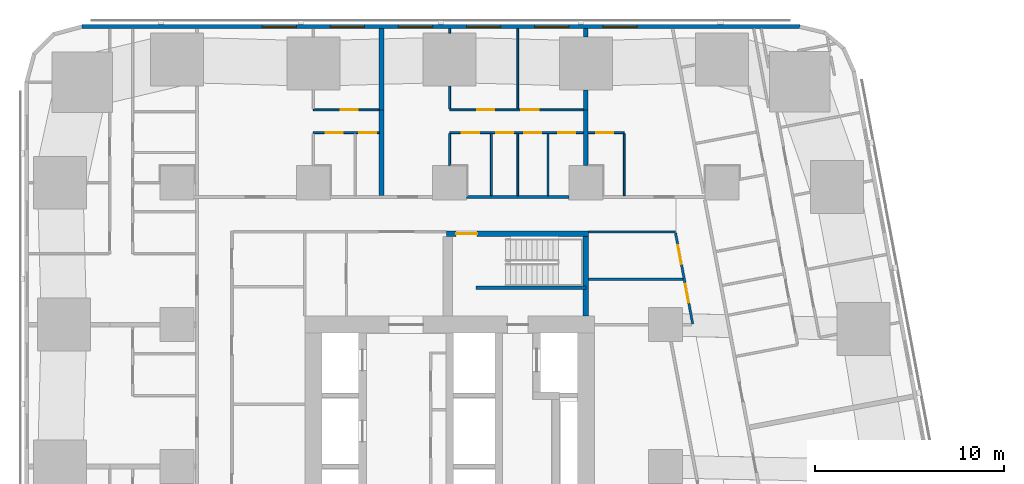
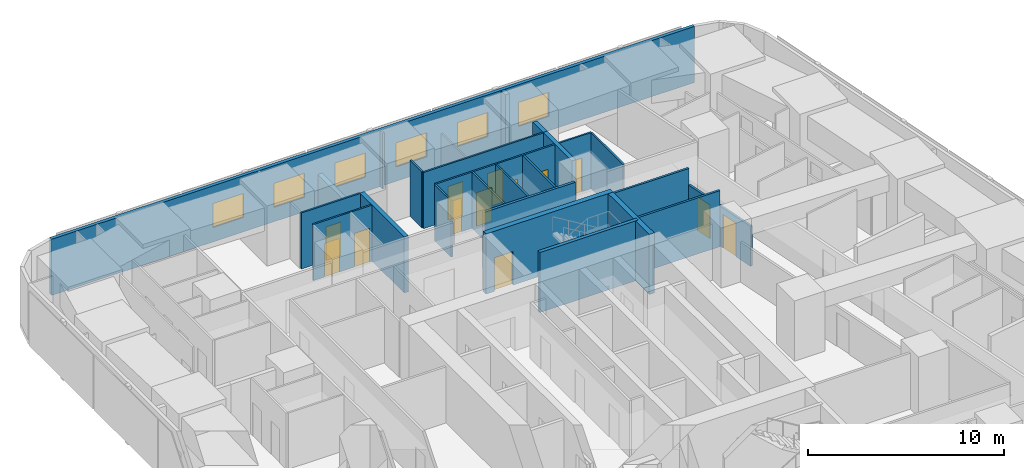
# One storey, part 10 of 16: 26 walls, 13 doors, 6 windows, 19 openings.
"""IFC4 building model written with IfcOpenShell, lengths in metres."""

from ifc_helpers import new_model, si_unit, direction, frame, frame_2d, origin, place, context, subcontext, project, spatial, rectangle, extrude, material, layer, layer_set, type_object, element, fill, save


model = new_model("IFC4")

# Units and contexts
model_context = context("Model", 3, precision=1e-05, world=origin(), true_north=direction((0.0, 1.0)))
body_context = subcontext(model_context, "Body", "Model", "MODEL_VIEW")
ifc_project = project(units=[si_unit("LENGTHUNIT", "METRE"), si_unit("AREAUNIT", "SQUARE_METRE"), si_unit("VOLUMEUNIT", "CUBIC_METRE"), si_unit("PLANEANGLEUNIT", "RADIAN"), si_unit("MASSUNIT", "GRAM", prefix="KILO")], contexts=[model_context])

# Site, building, storey
site_placement = place(None, origin())
site = spatial("IfcSite", under=ifc_project, at=site_placement, CompositionType="ELEMENT")
building_placement = place(site_placement, origin())
building = spatial("IfcBuilding", under=site, at=building_placement, Name="Sheger Commons Tower", CompositionType="ELEMENT")
storey_placement = place(building_placement, frame((0.0, 0.0, 53.75)))
storey = spatial("IfcBuildingStorey", under=building, at=storey_placement, Name="L13", CompositionType="ELEMENT", Elevation=53.75)

# Walls
ifc_material_1 = material(Name="Hollow concrete block masonry, skimmed both sides", Category="masonry")
ifc_layer_1 = layer(ifc_material_1, 0.14990234375)
ifc_layer_set_1 = layer_set([ifc_layer_1], Name="CORRIDOR WALL 150")
wall_type_1 = type_object("IfcWallType", Name="CORRIDOR WALL 150", PredefinedType="SOLIDWALL", material=ifc_layer_set_1)
wall_1_placement = place(storey_placement, frame((22.5009765625, 36.75, 0.0), z_axis=(0.0, 0.0, 1.0), x_axis=(1.0, 0.0, 0.0)))
element("IfcWall", 1, at=wall_1_placement, inside=storey, type_object=wall_type_1, Name="Corridor wall L13", PredefinedType="SOLIDWALL", context=body_context, shape_type="SweptSolid", body=[
    extrude(rectangle(XDim=5.39794921875, YDim=0.14990234375, at=frame_2d((2.698974609375, 0.0))), origin(), (0.0, 0.0, 1.0), 3.5),
])
ifc_material_2 = material(Name="Dense concrete block masonry, plastered both sides (separating wall between flats)", Category="masonry")
ifc_layer_2 = layer(ifc_material_2, 0.25)
ifc_layer_set_2 = layer_set([ifc_layer_2], Name="DEMISING WALL 250")
wall_type_2 = type_object("IfcWallType", Name="DEMISING WALL 250", PredefinedType="SOLIDWALL", material=ifc_layer_set_2)
wall_2_placement = place(storey_placement, frame((18.0, 41.35009765625, 0.0), z_axis=(0.0, 0.0, 1.0), x_axis=(0.0, 1.0, 0.0)))
element("IfcWall", 2, at=wall_2_placement, inside=storey, type_object=wall_type_2, Name="Demising wall L13", PredefinedType="SOLIDWALL", context=body_context, shape_type="SweptSolid", body=[
    extrude(rectangle(XDim=4.2998046875, YDim=0.25, at=frame_2d((2.14990234375, 0.0))), origin(), (0.0, 0.0, 1.0), 2.050048828125),
])
wall_3_placement = place(storey_placement, frame((18.0, 36.824951171875, 0.0), z_axis=(0.0, 0.0, 1.0), x_axis=(0.0, 1.0, 0.0)))
element("IfcWall", 3, at=wall_3_placement, inside=storey, type_object=wall_type_2, Name="Demising wall L13", PredefinedType="SOLIDWALL", context=body_context, shape_type="SweptSolid", body=[
    extrude(rectangle(XDim=4.525146484375, YDim=0.25, at=frame_2d((2.2626953125, 0.0))), origin(), (0.0, 0.0, 1.0), 3.5),
])
wall_4_placement = place(storey_placement, frame((28.800048828125, 41.35009765625, 0.0), z_axis=(0.0, 0.0, 1.0), x_axis=(0.0, 1.0, 0.0)))
element("IfcWall", 4, at=wall_4_placement, inside=storey, type_object=wall_type_2, Name="Demising wall L13", PredefinedType="SOLIDWALL", context=body_context, shape_type="SweptSolid", body=[
    extrude(rectangle(XDim=1.048828125, YDim=0.25, at=frame_2d((0.5244140625, 0.0))), origin(), (0.0, 0.0, 1.0), 3.5),
])
wall_5_placement = place(storey_placement, frame((28.800048828125, 45.200927734375, 0.0), z_axis=(0.0, 0.0, 1.0), x_axis=(0.0, 1.0, 0.0)))
element("IfcWall", 5, at=wall_5_placement, inside=storey, type_object=wall_type_2, Name="Demising wall L13", PredefinedType="SOLIDWALL", context=body_context, shape_type="SweptSolid", body=[
    extrude(rectangle(XDim=0.448974609375, YDim=0.25, at=frame_2d((0.224609375, 0.0))), origin(), (0.0, 0.0, 1.0), 3.5),
])
wall_6_placement = place(storey_placement, frame((28.800048828125, 38.40087890625, 0.0), z_axis=(0.0, 0.0, 1.0), x_axis=(0.0, 1.0, 0.0)))
element("IfcWall", 6, at=wall_6_placement, inside=storey, type_object=wall_type_2, Name="Demising wall L13", PredefinedType="SOLIDWALL", context=body_context, shape_type="SweptSolid", body=[
    extrude(rectangle(XDim=2.94921875, YDim=0.25, at=frame_2d((1.474609375, 0.0))), origin(), (0.0, 0.0, 1.0), 3.5),
])

# Wall, openings, windows
ifc_material_3 = material(Name="Rendered concrete block masonry, dark grey", Category="masonry")
ifc_layer_3 = layer(ifc_material_3, 0.199951171875)
ifc_layer_set_3 = layer_set([ifc_layer_3], Name="FACADE WALL 200")
wall_type_3 = type_object("IfcWallType", Name="FACADE WALL 200", PredefinedType="SOLIDWALL", material=ifc_layer_set_3)
wall_7_placement = place(storey_placement, frame((40.10595703125, 45.75, 0.0), z_axis=(0.0, 0.0, 1.0), x_axis=(-1.0, 0.0, 0.0)))
wall_7 = element("IfcWall", 7, at=wall_7_placement, inside=storey, type_object=wall_type_3, Name="Facade wall L13", PredefinedType="SOLIDWALL", context=body_context, shape_type="SweptSolid", body=[
    extrude(rectangle(XDim=37.94287109375, YDim=0.199951171875, at=frame_2d((18.971435546875, 0.0))), origin(), (0.0, 0.0, 1.0), 3.5),
])
opening_1_placement = place(wall_7_placement, frame((8.60595703125, 0.0, 0.89990234375)))
opening_1 = element("IfcOpeningElement", 8, at=opening_1_placement, cuts=wall_7, Name="Opening W2", PredefinedType="OPENING", context=body_context, shape_type="SweptSolid", body=[
    extrude(rectangle(XDim=1.800048828125, YDim=1.5, at=frame_2d((0.89990234375, 0.75))), frame((0.0, 0.10986328125, 0.0), z_axis=(0.0, -1.0, 0.0), x_axis=(1.0, 0.0, 0.0)), (0.0, 0.0, 1.0), 0.219970703125),
])
opening_2_placement = place(wall_7_placement, frame((12.2060546875, 0.0, 0.89990234375)))
opening_2 = element("IfcOpeningElement", 9, at=opening_2_placement, cuts=wall_7, Name="Opening W2", PredefinedType="OPENING", context=body_context, shape_type="SweptSolid", body=[
    extrude(rectangle(XDim=1.800048828125, YDim=1.5, at=frame_2d((0.89990234375, 0.75))), frame((0.0, 0.10986328125, 0.0), z_axis=(0.0, -1.0, 0.0), x_axis=(1.0, 0.0, 0.0)), (0.0, 0.0, 1.0), 0.219970703125),
])
opening_3_placement = place(wall_7_placement, frame((15.805908203125, 0.0, 0.89990234375)))
opening_3 = element("IfcOpeningElement", 10, at=opening_3_placement, cuts=wall_7, Name="Opening W2", PredefinedType="OPENING", context=body_context, shape_type="SweptSolid", body=[
    extrude(rectangle(XDim=1.800048828125, YDim=1.5, at=frame_2d((0.89990234375, 0.75))), frame((0.0, 0.10986328125, 0.0), z_axis=(0.0, -1.0, 0.0), x_axis=(1.0, 0.0, 0.0)), (0.0, 0.0, 1.0), 0.219970703125),
])
opening_4_placement = place(wall_7_placement, frame((19.406005859375, 0.0, 0.89990234375)))
opening_4 = element("IfcOpeningElement", 11, at=opening_4_placement, cuts=wall_7, Name="Opening W2", PredefinedType="OPENING", context=body_context, shape_type="SweptSolid", body=[
    extrude(rectangle(XDim=1.800048828125, YDim=1.5, at=frame_2d((0.89990234375, 0.75))), frame((0.0, 0.10986328125, 0.0), z_axis=(0.0, -1.0, 0.0), x_axis=(1.0, 0.0, 0.0)), (0.0, 0.0, 1.0), 0.219970703125),
])
opening_5_placement = place(wall_7_placement, frame((23.006103515625, 0.0, 0.89990234375)))
opening_5 = element("IfcOpeningElement", 12, at=opening_5_placement, cuts=wall_7, Name="Opening W2", PredefinedType="OPENING", context=body_context, shape_type="SweptSolid", body=[
    extrude(rectangle(XDim=1.800048828125, YDim=1.5, at=frame_2d((0.89990234375, 0.75))), frame((0.0, 0.10986328125, 0.0), z_axis=(0.0, -1.0, 0.0), x_axis=(1.0, 0.0, 0.0)), (0.0, 0.0, 1.0), 0.219970703125),
])
opening_6_placement = place(wall_7_placement, frame((26.60595703125, 0.0, 0.89990234375)))
opening_6 = element("IfcOpeningElement", 13, at=opening_6_placement, cuts=wall_7, Name="Opening W2", PredefinedType="OPENING", context=body_context, shape_type="SweptSolid", body=[
    extrude(rectangle(XDim=1.800048828125, YDim=1.5, at=frame_2d((0.89990234375, 0.75))), frame((0.0, 0.10986328125, 0.0), z_axis=(0.0, -1.0, 0.0), x_axis=(1.0, 0.0, 0.0)), (0.0, 0.0, 1.0), 0.219970703125),
])
ifc_material_4 = material(Name="Black aluminium frame, dark tinted double glazing", Category="aluminium")
window_type = type_object("IfcWindowType", Name="WINDOW W2 1800x1500", PartitioningType="SINGLE_PANEL", PredefinedType="WINDOW", material=ifc_material_4)
window_1_placement = place(opening_1_placement, origin())
window_1 = element("IfcWindow", 14, at=window_1_placement, inside=storey, type_object=window_type, Name="Window W2 1800X1500", OverallHeight=1.5, OverallWidth=1.800048828125, PartitioningType="SINGLE_PANEL", PredefinedType="WINDOW", context=body_context, shape_type="SweptSolid", body=[
    extrude(rectangle(XDim=1.800048828125, YDim=1.5, at=frame_2d((0.89990234375, 0.75))), frame((0.0, 0.030029296875, 0.0), z_axis=(0.0, -1.0, 0.0), x_axis=(1.0, 0.0, 0.0)), (0.0, 0.0, 1.0), 0.06005859375),
])
fill(opening_1, window_1)
window_2_placement = place(opening_2_placement, origin())
window_2 = element("IfcWindow", 15, at=window_2_placement, inside=storey, type_object=window_type, Name="Window W2 1800X1500", OverallHeight=1.5, OverallWidth=1.800048828125, PartitioningType="SINGLE_PANEL", PredefinedType="WINDOW", context=body_context, shape_type="SweptSolid", body=[
    extrude(rectangle(XDim=1.800048828125, YDim=1.5, at=frame_2d((0.89990234375, 0.75))), frame((0.0, 0.030029296875, 0.0), z_axis=(0.0, -1.0, 0.0), x_axis=(1.0, 0.0, 0.0)), (0.0, 0.0, 1.0), 0.06005859375),
])
fill(opening_2, window_2)
window_3_placement = place(opening_3_placement, origin())
window_3 = element("IfcWindow", 16, at=window_3_placement, inside=storey, type_object=window_type, Name="Window W2 1800X1500", OverallHeight=1.5, OverallWidth=1.800048828125, PartitioningType="SINGLE_PANEL", PredefinedType="WINDOW", context=body_context, shape_type="SweptSolid", body=[
    extrude(rectangle(XDim=1.800048828125, YDim=1.5, at=frame_2d((0.89990234375, 0.75))), frame((0.0, 0.030029296875, 0.0), z_axis=(0.0, -1.0, 0.0), x_axis=(1.0, 0.0, 0.0)), (0.0, 0.0, 1.0), 0.06005859375),
])
fill(opening_3, window_3)
window_4_placement = place(opening_4_placement, origin())
window_4 = element("IfcWindow", 17, at=window_4_placement, inside=storey, type_object=window_type, Name="Window W2 1800X1500", OverallHeight=1.5, OverallWidth=1.800048828125, PartitioningType="SINGLE_PANEL", PredefinedType="WINDOW", context=body_context, shape_type="SweptSolid", body=[
    extrude(rectangle(XDim=1.800048828125, YDim=1.5, at=frame_2d((0.89990234375, 0.75))), frame((0.0, 0.030029296875, 0.0), z_axis=(0.0, -1.0, 0.0), x_axis=(1.0, 0.0, 0.0)), (0.0, 0.0, 1.0), 0.06005859375),
])
fill(opening_4, window_4)
window_5_placement = place(opening_5_placement, origin())
window_5 = element("IfcWindow", 18, at=window_5_placement, inside=storey, type_object=window_type, Name="Window W2 1800X1500", OverallHeight=1.5, OverallWidth=1.800048828125, PartitioningType="SINGLE_PANEL", PredefinedType="WINDOW", context=body_context, shape_type="SweptSolid", body=[
    extrude(rectangle(XDim=1.800048828125, YDim=1.5, at=frame_2d((0.89990234375, 0.75))), frame((0.0, 0.030029296875, 0.0), z_axis=(0.0, -1.0, 0.0), x_axis=(1.0, 0.0, 0.0)), (0.0, 0.0, 1.0), 0.06005859375),
])
fill(opening_5, window_5)
window_6_placement = place(opening_6_placement, origin())
window_6 = element("IfcWindow", 19, at=window_6_placement, inside=storey, type_object=window_type, Name="Window W2 1800X1500", OverallHeight=1.5, OverallWidth=1.800048828125, PartitioningType="SINGLE_PANEL", PredefinedType="WINDOW", context=body_context, shape_type="SweptSolid", body=[
    extrude(rectangle(XDim=1.800048828125, YDim=1.5, at=frame_2d((0.89990234375, 0.75))), frame((0.0, 0.030029296875, 0.0), z_axis=(0.0, -1.0, 0.0), x_axis=(1.0, 0.0, 0.0)), (0.0, 0.0, 1.0), 0.06005859375),
])
fill(opening_6, window_6)

# Wall, opening, door
ifc_material_5 = material(Name="Gypsum board on steel studs", Category="steel")
ifc_layer_4 = layer(ifc_material_5, 0.10009765625)
ifc_layer_set_4 = layer_set([ifc_layer_4], Name="PARTITION 100")
wall_type_4 = type_object("IfcWallType", Name="PARTITION 100", PredefinedType="PARTITIONING", material=ifc_layer_set_4)
wall_8_placement = place(storey_placement, frame((14.39990234375, 41.35009765625, 0.0), z_axis=(0.0, 0.0, 1.0), x_axis=(1.0, 0.0, 0.0)))
wall_8 = element("IfcWall", 20, at=wall_8_placement, inside=storey, type_object=wall_type_4, Name="Partition L13", PredefinedType="PARTITIONING", context=body_context, shape_type="SweptSolid", body=[
    extrude(rectangle(XDim=3.47509765625, YDim=0.10009765625, at=frame_2d((1.737548828125, 0.0))), origin(), (0.0, 0.0, 1.0), 3.5),
])
opening_7_placement = place(wall_8_placement, frame((1.449951171875, 0.0, 0.0)))
opening_7 = element("IfcOpeningElement", 21, at=opening_7_placement, cuts=wall_8, Name="Opening D2", PredefinedType="OPENING", context=body_context, shape_type="SweptSolid", body=[
    extrude(rectangle(XDim=0.89990234375, YDim=2.10009765625, at=frame_2d((0.449951171875, 1.050048828125))), frame((0.0, 0.06005859375, 0.0), z_axis=(0.0, -1.0, 0.0), x_axis=(1.0, 0.0, 0.0)), (0.0, 0.0, 1.0), 0.1201171875),
])
ifc_material_6 = material(Name="Timber door set", Category="wood")
door_type_1 = type_object("IfcDoorType", Name="INTERNAL DOOR 900x2100", OperationType="NOTDEFINED", PredefinedType="DOOR", material=ifc_material_6)
door_1_placement = place(opening_7_placement, origin())
door_1 = element("IfcDoor", 22, at=door_1_placement, inside=storey, type_object=door_type_1, Name="Main bedroom door", OperationType="SINGLE_SWING_RIGHT", OverallHeight=2.10009765625, OverallWidth=0.89990234375, PredefinedType="DOOR", context=body_context, shape_type="SweptSolid", body=[
    extrude(rectangle(XDim=0.89990234375, YDim=2.10009765625, at=frame_2d((0.449951171875, 1.050048828125))), frame((0.0, 0.02490234375, 0.0), z_axis=(0.0, -1.0, 0.0), x_axis=(1.0, 0.0, 0.0)), (0.0, 0.0, 1.0), 0.050048828125),
])
fill(opening_7, door_1)

# Wall, openings, doors
wall_9_placement = place(storey_placement, frame((14.39990234375, 40.14990234375, 0.0), z_axis=(0.0, 0.0, 1.0), x_axis=(1.0, 0.0, 0.0)))
wall_9 = element("IfcWall", 23, at=wall_9_placement, inside=storey, type_object=wall_type_4, Name="Partition L13", PredefinedType="PARTITIONING", context=body_context, shape_type="SweptSolid", body=[
    extrude(rectangle(XDim=3.47509765625, YDim=0.10009765625, at=frame_2d((1.737548828125, 0.0))), origin(), (0.0, 0.0, 1.0), 3.5),
])
opening_8_placement = place(wall_9_placement, frame((0.655029296875, 0.0, 0.0)))
opening_8 = element("IfcOpeningElement", 24, at=opening_8_placement, cuts=wall_9, Name="Opening D2", PredefinedType="OPENING", context=body_context, shape_type="SweptSolid", body=[
    extrude(rectangle(XDim=0.89990234375, YDim=2.10009765625, at=frame_2d((0.449951171875, 1.050048828125))), frame((0.0, 0.06005859375, 0.0), z_axis=(0.0, -1.0, 0.0), x_axis=(1.0, 0.0, 0.0)), (0.0, 0.0, 1.0), 0.1201171875),
])
opening_9_placement = place(wall_9_placement, frame((2.425048828125, 0.0, 0.0)))
opening_9 = element("IfcOpeningElement", 25, at=opening_9_placement, cuts=wall_9, Name="Opening D2", PredefinedType="OPENING", context=body_context, shape_type="SweptSolid", body=[
    extrude(rectangle(XDim=0.89990234375, YDim=2.10009765625, at=frame_2d((0.449951171875, 1.050048828125))), frame((0.0, 0.06005859375, 0.0), z_axis=(0.0, -1.0, 0.0), x_axis=(1.0, 0.0, 0.0)), (0.0, 0.0, 1.0), 0.1201171875),
])
door_2_placement = place(opening_8_placement, origin())
door_2 = element("IfcDoor", 26, at=door_2_placement, inside=storey, type_object=door_type_1, Name="Bathroom door", OperationType="SINGLE_SWING_RIGHT", OverallHeight=2.10009765625, OverallWidth=0.89990234375, PredefinedType="DOOR", context=body_context, shape_type="SweptSolid", body=[
    extrude(rectangle(XDim=0.89990234375, YDim=2.10009765625, at=frame_2d((0.449951171875, 1.050048828125))), frame((0.0, 0.02490234375, 0.0), z_axis=(0.0, -1.0, 0.0), x_axis=(1.0, 0.0, 0.0)), (0.0, 0.0, 1.0), 0.050048828125),
])
fill(opening_8, door_2)
door_3_placement = place(opening_9_placement, origin())
door_3 = element("IfcDoor", 27, at=door_3_placement, inside=storey, type_object=door_type_1, Name="Store door", OperationType="SINGLE_SWING_LEFT", OverallHeight=2.10009765625, OverallWidth=0.89990234375, PredefinedType="DOOR", context=body_context, shape_type="SweptSolid", body=[
    extrude(rectangle(XDim=0.89990234375, YDim=2.10009765625, at=frame_2d((0.449951171875, 1.050048828125))), frame((0.0, 0.02490234375, 0.0), z_axis=(0.0, -1.0, 0.0), x_axis=(1.0, 0.0, 0.0)), (0.0, 0.0, 1.0), 0.050048828125),
])
fill(opening_9, door_3)

wall_10_placement = place(storey_placement, frame((21.60009765625, 41.35009765625, 0.0), z_axis=(0.0, 0.0, 1.0), x_axis=(1.0, 0.0, 0.0)))
wall_10 = element("IfcWall", 28, at=wall_10_placement, inside=storey, type_object=wall_type_4, Name="Partition L13", PredefinedType="PARTITIONING", context=body_context, shape_type="SweptSolid", body=[
    extrude(rectangle(XDim=7.074951171875, YDim=0.10009765625, at=frame_2d((3.53759765625, 0.0))), origin(), (0.0, 0.0, 1.0), 3.5),
])
opening_10_placement = place(wall_10_placement, frame((1.449951171875, 0.0, 0.0)))
opening_10 = element("IfcOpeningElement", 29, at=opening_10_placement, cuts=wall_10, Name="Opening D2", PredefinedType="OPENING", context=body_context, shape_type="SweptSolid", body=[
    extrude(rectangle(XDim=0.89990234375, YDim=2.10009765625, at=frame_2d((0.449951171875, 1.050048828125))), frame((0.0, 0.06005859375, 0.0), z_axis=(0.0, -1.0, 0.0), x_axis=(1.0, 0.0, 0.0)), (0.0, 0.0, 1.0), 0.1201171875),
])
opening_11_placement = place(wall_10_placement, frame((3.800048828125, 0.0, 0.0)))
opening_11 = element("IfcOpeningElement", 30, at=opening_11_placement, cuts=wall_10, Name="Opening D2", PredefinedType="OPENING", context=body_context, shape_type="SweptSolid", body=[
    extrude(rectangle(XDim=0.89990234375, YDim=2.10009765625, at=frame_2d((0.449951171875, 1.050048828125))), frame((0.0, 0.06005859375, 0.0), z_axis=(0.0, -1.0, 0.0), x_axis=(1.0, 0.0, 0.0)), (0.0, 0.0, 1.0), 0.1201171875),
])
door_4_placement = place(opening_10_placement, origin())
door_4 = element("IfcDoor", 31, at=door_4_placement, inside=storey, type_object=door_type_1, Name="Main bedroom door", OperationType="SINGLE_SWING_LEFT", OverallHeight=2.10009765625, OverallWidth=0.89990234375, PredefinedType="DOOR", context=body_context, shape_type="SweptSolid", body=[
    extrude(rectangle(XDim=0.89990234375, YDim=2.10009765625, at=frame_2d((0.449951171875, 1.050048828125))), frame((0.0, 0.02490234375, 0.0), z_axis=(0.0, -1.0, 0.0), x_axis=(1.0, 0.0, 0.0)), (0.0, 0.0, 1.0), 0.050048828125),
])
fill(opening_10, door_4)
door_5_placement = place(opening_11_placement, origin())
door_5 = element("IfcDoor", 32, at=door_5_placement, inside=storey, type_object=door_type_1, Name="Bedroom 2 door", OperationType="SINGLE_SWING_LEFT", OverallHeight=2.10009765625, OverallWidth=0.89990234375, PredefinedType="DOOR", context=body_context, shape_type="SweptSolid", body=[
    extrude(rectangle(XDim=0.89990234375, YDim=2.10009765625, at=frame_2d((0.449951171875, 1.050048828125))), frame((0.0, 0.02490234375, 0.0), z_axis=(0.0, -1.0, 0.0), x_axis=(1.0, 0.0, 0.0)), (0.0, 0.0, 1.0), 0.050048828125),
])
fill(opening_11, door_5)

wall_11_placement = place(storey_placement, frame((21.60009765625, 40.14990234375, 0.0), z_axis=(0.0, 0.0, 1.0), x_axis=(1.0, 0.0, 0.0)))
wall_11 = element("IfcWall", 33, at=wall_11_placement, inside=storey, type_object=wall_type_4, Name="Partition L13", PredefinedType="PARTITIONING", context=body_context, shape_type="SweptSolid", body=[
    extrude(rectangle(XDim=7.074951171875, YDim=0.10009765625, at=frame_2d((3.53759765625, 0.0))), origin(), (0.0, 0.0, 1.0), 3.5),
])
opening_12_placement = place(wall_11_placement, frame((0.655029296875, 0.0, 0.0)))
opening_12 = element("IfcOpeningElement", 34, at=opening_12_placement, cuts=wall_11, Name="Opening D2", PredefinedType="OPENING", context=body_context, shape_type="SweptSolid", body=[
    extrude(rectangle(XDim=0.89990234375, YDim=2.10009765625, at=frame_2d((0.449951171875, 1.050048828125))), frame((0.0, 0.06005859375, 0.0), z_axis=(0.0, -1.0, 0.0), x_axis=(1.0, 0.0, 0.0)), (0.0, 0.0, 1.0), 0.1201171875),
])
opening_13_placement = place(wall_11_placement, frame((3.949951171875, 0.0, 0.0)))
opening_13 = element("IfcOpeningElement", 35, at=opening_13_placement, cuts=wall_11, Name="Opening D2", PredefinedType="OPENING", context=body_context, shape_type="SweptSolid", body=[
    extrude(rectangle(XDim=0.89990234375, YDim=2.10009765625, at=frame_2d((0.449951171875, 1.050048828125))), frame((0.0, 0.06005859375, 0.0), z_axis=(0.0, -1.0, 0.0), x_axis=(1.0, 0.0, 0.0)), (0.0, 0.0, 1.0), 0.1201171875),
])
opening_14_placement = place(wall_11_placement, frame((2.455078125, 0.0, 0.0)))
opening_14 = element("IfcOpeningElement", 36, at=opening_14_placement, cuts=wall_11, Name="Opening D2", PredefinedType="OPENING", context=body_context, shape_type="SweptSolid", body=[
    extrude(rectangle(XDim=0.89990234375, YDim=2.10009765625, at=frame_2d((0.449951171875, 1.050048828125))), frame((0.0, 0.06005859375, 0.0), z_axis=(0.0, -1.0, 0.0), x_axis=(1.0, 0.0, 0.0)), (0.0, 0.0, 1.0), 0.1201171875),
])
opening_15_placement = place(wall_11_placement, frame((5.75, 0.0, 0.0)))
opening_15 = element("IfcOpeningElement", 37, at=opening_15_placement, cuts=wall_11, Name="Opening D2", PredefinedType="OPENING", context=body_context, shape_type="SweptSolid", body=[
    extrude(rectangle(XDim=0.89990234375, YDim=2.10009765625, at=frame_2d((0.449951171875, 1.050048828125))), frame((0.0, 0.06005859375, 0.0), z_axis=(0.0, -1.0, 0.0), x_axis=(1.0, 0.0, 0.0)), (0.0, 0.0, 1.0), 0.1201171875),
])
door_6_placement = place(opening_12_placement, origin())
door_6 = element("IfcDoor", 38, at=door_6_placement, inside=storey, type_object=door_type_1, Name="Bathroom door", OperationType="SINGLE_SWING_RIGHT", OverallHeight=2.10009765625, OverallWidth=0.89990234375, PredefinedType="DOOR", context=body_context, shape_type="SweptSolid", body=[
    extrude(rectangle(XDim=0.89990234375, YDim=2.10009765625, at=frame_2d((0.449951171875, 1.050048828125))), frame((0.0, 0.02490234375, 0.0), z_axis=(0.0, -1.0, 0.0), x_axis=(1.0, 0.0, 0.0)), (0.0, 0.0, 1.0), 0.050048828125),
])
fill(opening_12, door_6)
door_7_placement = place(opening_13_placement, origin())
door_7 = element("IfcDoor", 39, at=door_7_placement, inside=storey, type_object=door_type_1, Name="Shower room door", OperationType="SINGLE_SWING_LEFT", OverallHeight=2.10009765625, OverallWidth=0.89990234375, PredefinedType="DOOR", context=body_context, shape_type="SweptSolid", body=[
    extrude(rectangle(XDim=0.89990234375, YDim=2.10009765625, at=frame_2d((0.449951171875, 1.050048828125))), frame((0.0, 0.02490234375, 0.0), z_axis=(0.0, -1.0, 0.0), x_axis=(1.0, 0.0, 0.0)), (0.0, 0.0, 1.0), 0.050048828125),
])
fill(opening_13, door_7)
door_8_placement = place(opening_14_placement, origin())
door_8 = element("IfcDoor", 40, at=door_8_placement, inside=storey, type_object=door_type_1, Name="Store door", OperationType="SINGLE_SWING_LEFT", OverallHeight=2.10009765625, OverallWidth=0.89990234375, PredefinedType="DOOR", context=body_context, shape_type="SweptSolid", body=[
    extrude(rectangle(XDim=0.89990234375, YDim=2.10009765625, at=frame_2d((0.449951171875, 1.050048828125))), frame((0.0, 0.02490234375, 0.0), z_axis=(0.0, -1.0, 0.0), x_axis=(1.0, 0.0, 0.0)), (0.0, 0.0, 1.0), 0.050048828125),
])
fill(opening_14, door_8)
door_9_placement = place(opening_15_placement, origin())
door_9 = element("IfcDoor", 41, at=door_9_placement, inside=storey, type_object=door_type_1, Name="Store door", OperationType="SINGLE_SWING_LEFT", OverallHeight=2.10009765625, OverallWidth=0.89990234375, PredefinedType="DOOR", context=body_context, shape_type="SweptSolid", body=[
    extrude(rectangle(XDim=0.89990234375, YDim=2.10009765625, at=frame_2d((0.449951171875, 1.050048828125))), frame((0.0, 0.02490234375, 0.0), z_axis=(0.0, -1.0, 0.0), x_axis=(1.0, 0.0, 0.0)), (0.0, 0.0, 1.0), 0.050048828125),
])
fill(opening_15, door_9)

# Walls
wall_12_placement = place(storey_placement, frame((21.60009765625, 41.39990234375, 0.0), z_axis=(0.0, 0.0, 1.0), x_axis=(0.0, 1.0, 0.0)))
element("IfcWall", 42, at=wall_12_placement, inside=storey, type_object=wall_type_4, Name="Partition L13", PredefinedType="PARTITIONING", context=body_context, shape_type="SweptSolid", body=[
    extrude(rectangle(XDim=1.19921875, YDim=0.10009765625, at=frame_2d((0.599609375, 0.0))), origin(), (0.0, 0.0, 1.0), 3.5),
])
wall_13_placement = place(storey_placement, frame((21.60009765625, 45.40087890625, 0.0), z_axis=(0.0, 0.0, 1.0), x_axis=(0.0, 1.0, 0.0)))
element("IfcWall", 43, at=wall_13_placement, inside=storey, type_object=wall_type_4, Name="Partition L13", PredefinedType="PARTITIONING", context=body_context, shape_type="SweptSolid", body=[
    extrude(rectangle(XDim=0.2490234375, YDim=0.10009765625, at=frame_2d((0.12451171875, 0.0))), origin(), (0.0, 0.0, 1.0), 3.5),
])
wall_14_placement = place(storey_placement, frame((25.199951171875, 41.39990234375, 0.0), z_axis=(0.0, 0.0, 1.0), x_axis=(0.0, 1.0, 0.0)))
element("IfcWall", 44, at=wall_14_placement, inside=storey, type_object=wall_type_4, Name="Partition L13", PredefinedType="PARTITIONING", context=body_context, shape_type="SweptSolid", body=[
    extrude(rectangle(XDim=4.25, YDim=0.10009765625, at=frame_2d((2.125, 0.0))), origin(), (0.0, 0.0, 1.0), 2.050048828125),
])
wall_15_placement = place(storey_placement, frame((21.60009765625, 38.40087890625, 0.0), z_axis=(0.0, 0.0, 1.0), x_axis=(0.0, 1.0, 0.0)))
element("IfcWall", 45, at=wall_15_placement, inside=storey, type_object=wall_type_4, Name="Partition L13", PredefinedType="PARTITIONING", context=body_context, shape_type="SweptSolid", body=[
    extrude(rectangle(XDim=1.69921875, YDim=0.10009765625, at=frame_2d((0.849609375, 0.0))), origin(), (0.0, 0.0, 1.0), 3.5),
])
for number, where, z_axis, x_axis, name in (
    (46, (25.199951171875, 36.824951171875, 0.0), (0.0, 0.0, 1.0), (0.0, 1.0, 0.0), "Partition L13"),
    (47, (23.81005859375, 36.824951171875, 0.0), (0.0, 0.0, 1.0), (0.0, 1.0, 0.0), "Partition L13"),
    (48, (26.800048828125, 36.824951171875, 0.0), (0.0, 0.0, 1.0), (0.0, 1.0, 0.0), "Partition L13"),
):
    element("IfcWall", number, at=place(storey_placement, frame(where, z_axis=z_axis, x_axis=x_axis)), inside=storey, type_object=wall_type_4, Name=name, PredefinedType="PARTITIONING", context=body_context, shape_type="SweptSolid", body=[
        extrude(rectangle(XDim=3.275146484375, YDim=0.10009765625, at=frame_2d((1.6376953125, 0.0))), origin(), (0.0, 0.0, 1.0), 3.5),
    ])

# Wall, opening, door
wall_16_placement = place(storey_placement, frame((28.925048828125, 40.14990234375, 0.0), z_axis=(0.0, 0.0, 1.0), x_axis=(1.0, 0.0, 0.0)))
wall_16 = element("IfcWall", 49, at=wall_16_placement, inside=storey, type_object=wall_type_4, Name="Partition L13", PredefinedType="PARTITIONING", context=body_context, shape_type="SweptSolid", body=[
    extrude(rectangle(XDim=1.904052734375, YDim=0.10009765625, at=frame_2d((0.9521484375, 0.0))), origin(), (0.0, 0.0, 1.0), 3.5),
])
opening_16_placement = place(wall_16_placement, frame((0.425048828125, 0.0, 0.0)))
opening_16 = element("IfcOpeningElement", 50, at=opening_16_placement, cuts=wall_16, Name="Opening D2", PredefinedType="OPENING", context=body_context, shape_type="SweptSolid", body=[
    extrude(rectangle(XDim=0.89990234375, YDim=2.10009765625, at=frame_2d((0.449951171875, 1.050048828125))), frame((0.0, 0.06005859375, 0.0), z_axis=(0.0, -1.0, 0.0), x_axis=(1.0, 0.0, 0.0)), (0.0, 0.0, 1.0), 0.1201171875),
])
door_10_placement = place(opening_16_placement, origin())
door_10 = element("IfcDoor", 51, at=door_10_placement, inside=storey, type_object=door_type_1, Name="Shower room door", OperationType="SINGLE_SWING_RIGHT", OverallHeight=2.10009765625, OverallWidth=0.89990234375, PredefinedType="DOOR", context=body_context, shape_type="SweptSolid", body=[
    extrude(rectangle(XDim=0.89990234375, YDim=2.10009765625, at=frame_2d((0.449951171875, 1.050048828125))), frame((0.0, 0.02490234375, 0.0), z_axis=(0.0, -1.0, 0.0), x_axis=(1.0, 0.0, 0.0)), (0.0, 0.0, 1.0), 0.050048828125),
])
fill(opening_16, door_10)

# Walls
wall_17_placement = place(storey_placement, frame((30.8291015625, 36.824951171875, 0.0), z_axis=(0.0, 0.0, 1.0), x_axis=(0.0, 1.0, 0.0)))
element("IfcWall", 52, at=wall_17_placement, inside=storey, type_object=wall_type_4, Name="Partition L13", PredefinedType="PARTITIONING", context=body_context, shape_type="SweptSolid", body=[
    extrude(rectangle(XDim=3.275146484375, YDim=0.10009765625, at=frame_2d((1.6376953125, 0.0))), origin(), (0.0, 0.0, 1.0), 3.5),
])
ifc_material_7 = material(Name="Gypsum board on steel studs, two layers each side, fire rated", Category="steel")
ifc_layer_5 = layer(ifc_material_7, 0.125)
ifc_layer_set_5 = layer_set([ifc_layer_5], Name="SERVICE WALL 125")
wall_type_5 = type_object("IfcWallType", Name="SERVICE WALL 125", PredefinedType="PARTITIONING", material=ifc_layer_set_5)
wall_18_placement = place(storey_placement, frame((28.949951171875, 34.89990234375, 0.0), z_axis=(0.0, 0.0, 1.0), x_axis=(1.0, 0.0, 0.0)))
element("IfcWall", 53, at=wall_18_placement, inside=storey, type_object=wall_type_5, Name="Service room wall L13", PredefinedType="PARTITIONING", context=body_context, shape_type="SweptSolid", body=[
    extrude(rectangle(XDim=4.588134765625, YDim=0.125, at=frame_2d((2.2939453125, 0.0))), origin(), (0.0, 0.0, 1.0), 3.5),
])

# Wall, openings, doors
wall_19_placement = place(storey_placement, frame((34.447998046875, 30.0400390625, 0.0), z_axis=(0.0, 0.0, 1.0), x_axis=(-0.185749459238, 0.982597139418, 0.0)))
wall_19 = element("IfcWall", 54, at=wall_19_placement, inside=storey, type_object=wall_type_5, Name="Service room wall L13", PredefinedType="PARTITIONING", context=body_context, shape_type="SweptSolid", body=[
    extrude(rectangle(XDim=4.8828125, YDim=0.125, at=frame_2d((2.44140625, 0.0))), origin(), (0.0, 0.0, 1.0), 2.5),
])
opening_17_placement = place(wall_19_placement, frame((1.14990234375, 0.0, 0.0)))
opening_17 = element("IfcOpeningElement", 55, at=opening_17_placement, cuts=wall_19, Name="Opening D4", PredefinedType="OPENING", context=body_context, shape_type="SweptSolid", body=[
    extrude(rectangle(XDim=1.0, YDim=2.10009765625, at=frame_2d((0.5, 1.050048828125))), frame((0.0, 0.072509765625, 0.0), z_axis=(0.0, -1.0, 0.0), x_axis=(1.0, 0.0, 0.0)), (0.0, 0.0, 1.0), 0.14501953125),
])
opening_18_placement = place(wall_19_placement, frame((3.22509765625, 0.0, 0.0)))
opening_18 = element("IfcOpeningElement", 56, at=opening_18_placement, cuts=wall_19, Name="Opening D4", PredefinedType="OPENING", context=body_context, shape_type="SweptSolid", body=[
    extrude(rectangle(XDim=1.0, YDim=2.10009765625, at=frame_2d((0.5, 1.050048828125))), frame((0.0, 0.072509765625, 0.0), z_axis=(0.0, -1.0, 0.0), x_axis=(1.0, 0.0, 0.0)), (0.0, 0.0, 1.0), 0.14501953125),
])
ifc_material_8 = material(Name="Steel door set, fire rated", Category="steel")
door_type_2 = type_object("IfcDoorType", Name="SERVICE DOOR 1000x2100", OperationType="NOTDEFINED", PredefinedType="DOOR", material=ifc_material_8)
door_11_placement = place(opening_17_placement, origin())
door_11 = element("IfcDoor", 57, at=door_11_placement, inside=storey, type_object=door_type_2, Name="Linen store door", OperationType="SINGLE_SWING_RIGHT", OverallHeight=2.10009765625, OverallWidth=1.0, PredefinedType="DOOR", context=body_context, shape_type="SweptSolid", body=[
    extrude(rectangle(XDim=1.0, YDim=2.10009765625, at=frame_2d((0.5, 1.050048828125))), frame((0.0, 0.02490234375, 0.0), z_axis=(0.0, -1.0, 0.0), x_axis=(1.0, 0.0, 0.0)), (0.0, 0.0, 1.0), 0.050048828125),
])
fill(opening_17, door_11)
door_12_placement = place(opening_18_placement, origin())
door_12 = element("IfcDoor", 58, at=door_12_placement, inside=storey, type_object=door_type_2, Name="Cleaner's store door", OperationType="SINGLE_SWING_RIGHT", OverallHeight=2.10009765625, OverallWidth=1.0, PredefinedType="DOOR", context=body_context, shape_type="SweptSolid", body=[
    extrude(rectangle(XDim=1.0, YDim=2.10009765625, at=frame_2d((0.5, 1.050048828125))), frame((0.0, 0.02490234375, 0.0), z_axis=(0.0, -1.0, 0.0), x_axis=(1.0, 0.0, 0.0)), (0.0, 0.0, 1.0), 0.050048828125),
])
fill(opening_18, door_12)

# Wall
wall_20_placement = place(storey_placement, frame((28.949951171875, 32.39990234375, 0.0), z_axis=(0.0, 0.0, 1.0), x_axis=(1.0, 0.0, 0.0)))
element("IfcWall", 59, at=wall_20_placement, inside=storey, type_object=wall_type_5, Name="Service room wall L13", PredefinedType="PARTITIONING", context=body_context, shape_type="SweptSolid", body=[
    extrude(rectangle(XDim=4.97607421875, YDim=0.125, at=frame_2d((2.488037109375, 0.0))), origin(), (0.0, 0.0, 1.0), 3.5),
])

# Wall, opening, door
ifc_material_9 = material(Name="Concrete C50/60", Category="concrete")
ifc_layer_6 = layer(ifc_material_9, 0.300048828125)
ifc_layer_set_6 = layer_set([ifc_layer_6], Name="STAIR CORE WALL 300")
wall_type_6 = type_object("IfcWallType", Name="STAIR CORE WALL 300", PredefinedType="SHEAR", material=ifc_layer_set_6)
wall_21_placement = place(storey_placement, frame((21.449951171875, 34.800048828125, 0.0), z_axis=(0.0, 0.0, 1.0), x_axis=(1.0, 0.0, 0.0)))
wall_21 = element("IfcWall", 60, at=wall_21_placement, inside=storey, type_object=wall_type_6, Name="STW-L13-S2N", PredefinedType="SHEAR", context=body_context, shape_type="SweptSolid", body=[
    extrude(rectangle(XDim=7.5, YDim=0.300048828125, at=frame_2d((3.75, 0.0))), origin(), (0.0, 0.0, 1.0), 3.75),
])
opening_19_placement = place(wall_21_placement, frame((0.5, 0.0, 0.0)))
opening_19 = element("IfcOpeningElement", 61, at=opening_19_placement, cuts=wall_21, Name="Opening D5", PredefinedType="OPENING", context=body_context, shape_type="SweptSolid", body=[
    extrude(rectangle(XDim=1.10009765625, YDim=2.10009765625, at=frame_2d((0.550048828125, 1.050048828125))), frame((0.0, 0.159912109375, 0.0), z_axis=(0.0, -1.0, 0.0), x_axis=(1.0, 0.0, 0.0)), (0.0, 0.0, 1.0), 0.320068359375),
])
ifc_material_10 = material(Name="Steel door set, fire rated", Category="steel")
door_type_3 = type_object("IfcDoorType", Name="STAIR DOOR 1100x2100", OperationType="NOTDEFINED", PredefinedType="DOOR", material=ifc_material_10)
door_13_placement = place(opening_19_placement, origin())
door_13 = element("IfcDoor", 62, at=door_13_placement, inside=storey, type_object=door_type_3, Name="Stair S2 door", OperationType="SINGLE_SWING_RIGHT", OverallHeight=2.10009765625, OverallWidth=1.10009765625, PredefinedType="DOOR", context=body_context, shape_type="SweptSolid", body=[
    extrude(rectangle(XDim=1.10009765625, YDim=2.10009765625, at=frame_2d((0.550048828125, 1.050048828125))), frame((0.0, 0.02490234375, 0.0), z_axis=(0.0, -1.0, 0.0), x_axis=(1.0, 0.0, 0.0)), (0.0, 0.0, 1.0), 0.050048828125),
])
fill(opening_19, door_13)

# Walls
wall_22_placement = place(storey_placement, frame((28.800048828125, 30.449951171875, 0.0), z_axis=(0.0, 0.0, 1.0), x_axis=(0.0, 1.0, 0.0)))
element("IfcWall", 63, at=wall_22_placement, inside=storey, type_object=wall_type_6, Name="STW-L13-S2E", PredefinedType="SHEAR", context=body_context, shape_type="SweptSolid", body=[
    extrude(rectangle(XDim=4.199951171875, YDim=0.300048828125, at=frame_2d((2.10009765625, 0.0))), origin(), (0.0, 0.0, 1.0), 3.75),
])
ifc_material_11 = material(Name="Concrete C50/60", Category="concrete")
ifc_layer_7 = layer(ifc_material_11, 0.199951171875)
ifc_layer_set_7 = layer_set([ifc_layer_7], Name="STAIR SPINE WALL 200")
wall_type_7 = type_object("IfcWallType", Name="STAIR SPINE WALL 200", PredefinedType="SHEAR", material=ifc_layer_set_7)
wall_23_placement = place(storey_placement, frame((23.0, 31.949951171875, 0.0), z_axis=(0.0, 0.0, 1.0), x_axis=(1.0, 0.0, 0.0)))
element("IfcWall", 64, at=wall_23_placement, inside=storey, type_object=wall_type_7, Name="Stair spine wall L13", PredefinedType="SHEAR", context=body_context, shape_type="SweptSolid", body=[
    extrude(rectangle(XDim=5.800048828125, YDim=0.199951171875, at=frame_2d((2.89990234375, 0.0))), origin(), (0.0, 0.0, 1.0), 3.75),
])

save(model, "model.ifc")
